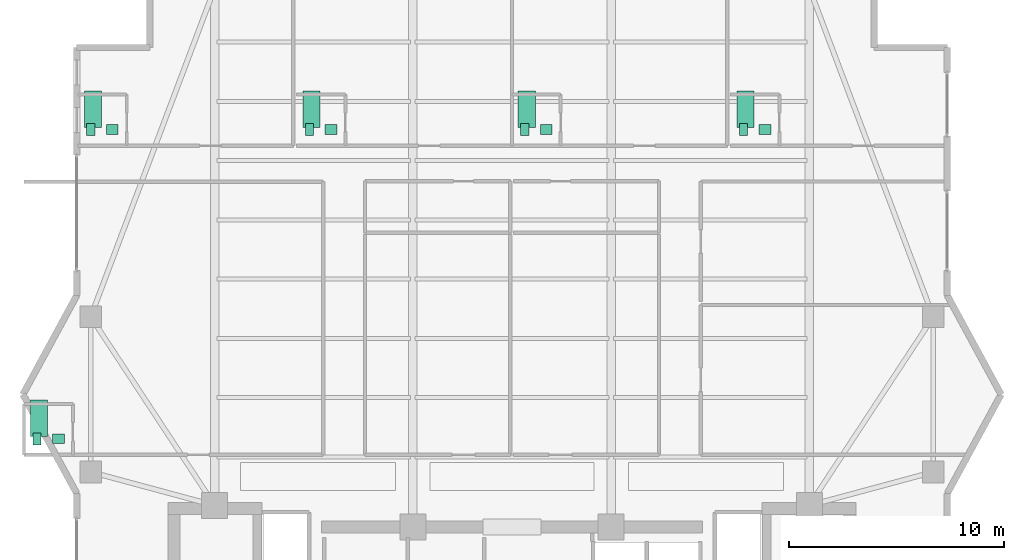
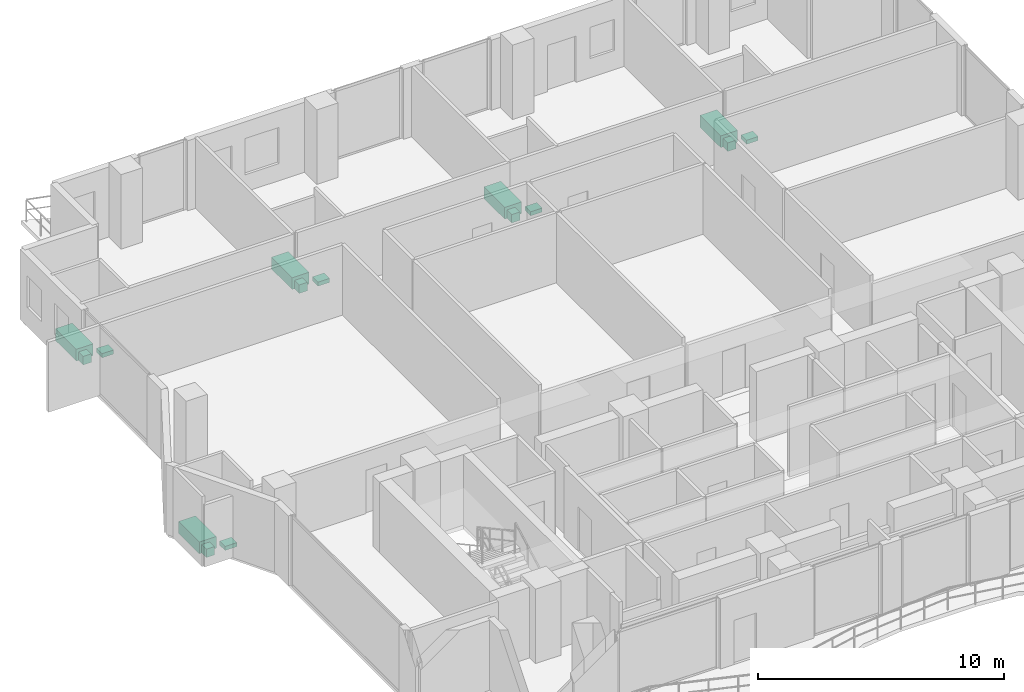
# One storey, part 25 of 25: 15 sanitary terminals.
"""IFC4 building model written with IfcOpenShell, lengths in metres."""

from ifc_helpers import new_model, si_unit, direction, frame, origin, origin_2d, place, context, subcontext, project, spatial, rectangle, extrude, material, type_object, element, save


model = new_model("IFC4")

# Units and contexts
model_context = context("Model", 3, precision=1e-05, world=origin(), true_north=direction((0.0, 1.0)))
body_context = subcontext(model_context, "Body", "Model", "MODEL_VIEW")
ifc_project = project(units=[si_unit("LENGTHUNIT", "METRE"), si_unit("AREAUNIT", "SQUARE_METRE"), si_unit("VOLUMEUNIT", "CUBIC_METRE"), si_unit("PLANEANGLEUNIT", "RADIAN"), si_unit("MASSUNIT", "GRAM", prefix="KILO")], contexts=[model_context])

# Site, building, storey
site_placement = place(None, origin())
site = spatial("IfcSite", under=ifc_project, at=site_placement, CompositionType="ELEMENT")
building_placement = place(site_placement, origin())
building = spatial("IfcBuilding", under=site, at=building_placement, Name="Zuhayl Quay Hotel", CompositionType="ELEMENT")
storey_placement = place(building_placement, frame((0.0, 0.0, 250.75)))
storey = spatial("IfcBuildingStorey", under=building, at=storey_placement, Name="L63", CompositionType="ELEMENT", Elevation=250.75)

# Sanitary terminals
ifc_material = material(Name="Vitreous Porcelain Sanitaryware")
sanitary_terminal_type_1 = type_object("IfcSanitaryTerminalType", Name="SAN_BASIN", PredefinedType="WASHHANDBASIN", material=ifc_material)
for number, where, z_axis, x_axis, name in (
    (1, (-18.550048828125, 31.7900390625, 0.0), (0.0, 0.0, 1.0), (1.0, 0.0, 0.0), "L63 Sanitary Fixture WASHHANDBASIN"),
    (2, (-8.39990234375, 31.7900390625, 0.0), (0.0, 0.0, 1.0), (1.0, 0.0, 0.0), "L63 Sanitary Fixture WASHHANDBASIN"),
    (3, (1.590087890625, 31.7900390625, 0.0), (0.0, 0.0, 1.0), (1.0, 0.0, 0.0), "L63 Sanitary Fixture WASHHANDBASIN"),
    (4, (11.739990234375, 31.7900390625, 0.0), (0.0, 0.0, 1.0), (1.0, 0.0, 0.0), "L63 Sanitary Fixture WASHHANDBASIN"),
    (5, (-21.050048828125, 17.43994140625, 0.0), (0.0, 0.0, 1.0), (1.0, 0.0, 0.0), "L63 Sanitary Fixture WASHHANDBASIN"),
):
    element("IfcSanitaryTerminal", number, at=place(storey_placement, frame(where, z_axis=z_axis, x_axis=x_axis)), inside=storey, type_object=sanitary_terminal_type_1, Name=name, PredefinedType="WASHHANDBASIN", context=body_context, shape_type="SweptSolid", body=[
        extrude(rectangle(XDim=0.550048828125, YDim=0.449951171875, at=origin_2d()), origin(), (0.0, 0.0, 1.0), 0.199951171875),
    ])
sanitary_terminal_type_2 = type_object("IfcSanitaryTerminalType", Name="SAN_BATH", PredefinedType="BATH", material=ifc_material)
for number, where, z_axis, x_axis, name in (
    (6, (-19.449951171875, 32.739990234375, 0.0), (0.0, 0.0, 1.0), (1.0, 0.0, 0.0), "L63 Sanitary Fixture BATH"),
    (7, (-9.300048828125, 32.739990234375, 0.0), (0.0, 0.0, 1.0), (1.0, 0.0, 0.0), "L63 Sanitary Fixture BATH"),
    (8, (0.68994140625, 32.739990234375, 0.0), (0.0, 0.0, 1.0), (1.0, 0.0, 0.0), "L63 Sanitary Fixture BATH"),
    (9, (10.840087890625, 32.739990234375, 0.0), (0.0, 0.0, 1.0), (1.0, 0.0, 0.0), "L63 Sanitary Fixture BATH"),
    (10, (-21.949951171875, 18.389892578125, 0.0), (0.0, 0.0, 1.0), (1.0, 0.0, 0.0), "L63 Sanitary Fixture BATH"),
):
    element("IfcSanitaryTerminal", number, at=place(storey_placement, frame(where, z_axis=z_axis, x_axis=x_axis)), inside=storey, type_object=sanitary_terminal_type_2, Name=name, PredefinedType="BATH", context=body_context, shape_type="SweptSolid", body=[
        extrude(rectangle(XDim=0.800048828125, YDim=1.699951171875, at=origin_2d()), origin(), (0.0, 0.0, 1.0), 0.580078125),
    ])
sanitary_terminal_type_3 = type_object("IfcSanitaryTerminalType", Name="SAN_WC", PredefinedType="TOILETPAN", material=ifc_material)
for number, where, z_axis, x_axis, name in (
    (11, (-19.550048828125, 31.7900390625, 0.0), (0.0, 0.0, 1.0), (1.0, 0.0, 0.0), "L63 Sanitary Fixture TOILETPAN"),
    (12, (-9.39990234375, 31.7900390625, 0.0), (0.0, 0.0, 1.0), (1.0, 0.0, 0.0), "L63 Sanitary Fixture TOILETPAN"),
    (13, (0.590087890625, 31.7900390625, 0.0), (0.0, 0.0, 1.0), (1.0, 0.0, 0.0), "L63 Sanitary Fixture TOILETPAN"),
    (14, (10.739990234375, 31.7900390625, 0.0), (0.0, 0.0, 1.0), (1.0, 0.0, 0.0), "L63 Sanitary Fixture TOILETPAN"),
    (15, (-22.050048828125, 17.43994140625, 0.0), (0.0, 0.0, 1.0), (1.0, 0.0, 0.0), "L63 Sanitary Fixture TOILETPAN"),
):
    element("IfcSanitaryTerminal", number, at=place(storey_placement, frame(where, z_axis=z_axis, x_axis=x_axis)), inside=storey, type_object=sanitary_terminal_type_3, Name=name, PredefinedType="TOILETPAN", context=body_context, shape_type="SweptSolid", body=[
        extrude(rectangle(XDim=0.3798828125, YDim=0.56005859375, at=origin_2d()), origin(), (0.0, 0.0, 1.0), 0.419921875),
    ])

save(model, "model.ifc")
